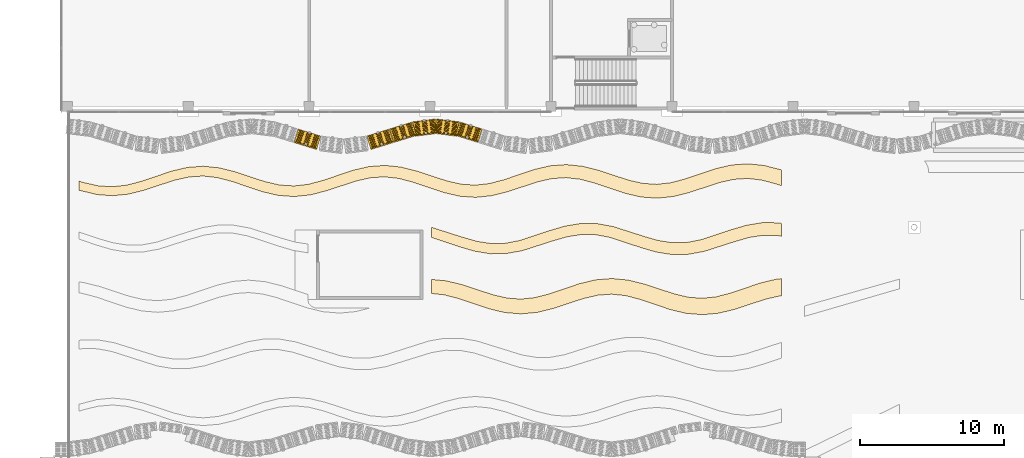
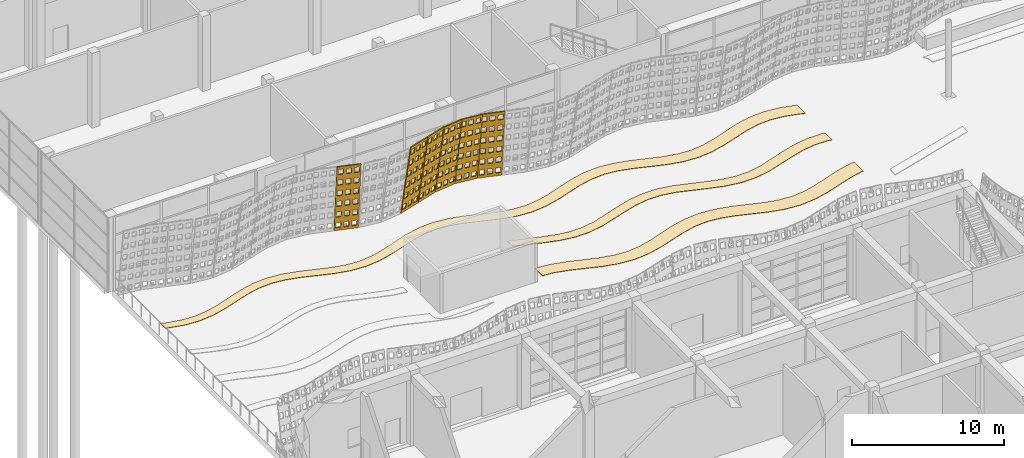
# One storey, part 167 of 210: 9 coverings.
"""IFC4 building model written with IfcOpenShell, lengths in metres."""

from ifc_helpers import new_model, si_unit, direction, frame, origin, place, context, subcontext, project, spatial, polyline, outline, extrude, material, layer, layer_set, type_object, element, save


model = new_model("IFC4")

# Units and contexts
model_context = context("Model", 3, precision=1e-05, world=origin(), true_north=direction((0.0, 1.0)))
body_context = subcontext(model_context, "Body", "Model", "MODEL_VIEW")
ifc_project = project(units=[si_unit("LENGTHUNIT", "METRE"), si_unit("AREAUNIT", "SQUARE_METRE"), si_unit("VOLUMEUNIT", "CUBIC_METRE"), si_unit("PLANEANGLEUNIT", "RADIAN"), si_unit("MASSUNIT", "GRAM", prefix="KILO")], contexts=[model_context])

# Site, building, storey
site_placement = place(None, origin())
site = spatial("IfcSite", under=ifc_project, at=site_placement, CompositionType="ELEMENT")
building_placement = place(site_placement, origin())
building = spatial("IfcBuilding", under=site, at=building_placement, Name="Rain Tree Exposition and Congress Centre", CompositionType="ELEMENT")
storey_placement = place(building_placement, origin())
storey = spatial("IfcBuildingStorey", under=building, at=storey_placement, Name="L00", CompositionType="ELEMENT", Elevation=0.0)

# Coverings
ifc_material_1 = material(Name="Granite paving", Category="masonry")
ifc_layer_1 = layer(ifc_material_1, 0.030029296875)
ifc_layer_set_1 = layer_set([ifc_layer_1], Name="Granite paving")
covering_type_1 = type_object("IfcCoveringType", Name="Granite paving inlay 30", PredefinedType="FLOORING", material=ifc_layer_set_1)
covering_1_placement = place(storey_placement, origin())
element("IfcCovering", 1, at=covering_1_placement, inside=storey, type_object=covering_type_1, Name="Granite paving inlay 31", PredefinedType="FLOORING", context=body_context, shape_type="SweptSolid", body=[
    extrude(outline(polyline([(26.3349609375, 63.480712890625), (25.300048828125, 63.578125), (25.300048828125, 62.601318359375), (26.1650390625, 62.510986328125), (27.16015625, 62.25537109375), (29.26171875, 61.54541015625), (30.3701171875, 61.279296875), (31.5048828125, 61.184814453125), (32.6396484375, 61.291748046875), (33.747802734375, 61.564208984375), (35.845703125, 62.25341796875), (36.834228515625, 62.483642578125), (37.794677734375, 62.555908203125), (38.75537109375, 62.45556640625), (39.744384765625, 62.201416015625), (41.846435546875, 61.4912109375), (42.96142578125, 61.2236328125), (44.105712890625, 61.12841796875), (45.24951171875, 61.236328125), (46.36376953125, 61.510009765625), (48.461181640625, 62.19921875), (49.443115234375, 62.42822265625), (49.60009765625, 62.439697265625), (49.60009765625, 63.633544921875), (49.257080078125, 63.604248046875), (48.138916015625, 63.335693359375), (46.036376953125, 62.62548828125), (45.050537109375, 62.372314453125), (44.094482421875, 62.272216796875), (43.138671875, 62.343994140625), (42.153564453125, 62.573486328125), (40.0556640625, 63.262939453125), (38.944580078125, 63.535888671875), (37.805419921875, 63.643310546875), (36.665771484375, 63.548583984375), (35.55419921875, 63.281494140625), (33.4521484375, 62.571533203125), (32.460205078125, 62.31689453125), (31.4951171875, 62.2158203125), (30.52978515625, 62.28857421875), (29.5380859375, 62.51953125), (27.43994140625, 63.208984375), (26.3349609375, 63.480712890625)])), origin(), (0.0, 0.0, 1.0), 0.030029296875),
])
covering_2_placement = place(storey_placement, origin())
element("IfcCovering", 2, at=covering_2_placement, inside=storey, type_object=covering_type_1, Name="Granite paving inlay 33", PredefinedType="FLOORING", context=body_context, shape_type="SweptSolid", body=[
    extrude(outline(polyline([(25.280517578125, 67.20068359375), (25.300048828125, 66.489013671875), (27.19482421875, 65.85888671875), (28.272705078125, 65.540771484375), (29.37451171875, 65.361083984375), (30.486083984375, 65.373291015625), (31.58740234375, 65.572021484375), (33.713623046875, 66.253173828125), (34.7333984375, 66.5458984375), (35.7275390625, 66.7001953125), (36.711181640625, 66.680419921875), (37.7060546875, 66.490478515625), (39.77783203125, 65.80517578125), (40.8603515625, 65.486083984375), (41.97021484375, 65.30517578125), (43.091552734375, 65.3173828125), (44.20068359375, 65.517578125), (46.33056640625, 66.19970703125), (47.345703125, 66.490966796875), (48.331787109375, 66.643798828125), (49.3056640625, 66.62451171875), (49.60009765625, 66.568115234375), (49.60009765625, 67.4736328125), (49.394287109375, 67.5107421875), (48.268310546875, 67.52294921875), (47.154296875, 67.341552734375), (46.0693359375, 67.021484375), (43.999267578125, 66.3369140625), (43.00830078125, 66.1474609375), (42.02978515625, 66.1279296875), (41.03955078125, 66.28173828125), (40.022216796875, 66.573486328125), (37.89404296875, 67.255126953125), (36.788818359375, 67.45458984375), (35.67236328125, 67.466796875), (34.566650390625, 67.28662109375), (33.486328125, 66.968017578125), (31.41259765625, 66.2822265625), (30.4140625, 66.091552734375), (29.425537109375, 66.072021484375), (28.42724609375, 66.226806640625), (27.405029296875, 66.52001953125), (25.280517578125, 67.20068359375)])), origin(), (0.0, 0.0, 1.0), 0.030029296875),
])
covering_3_placement = place(storey_placement, origin())
element("IfcCovering", 3, at=covering_3_placement, inside=storey, type_object=covering_type_1, Name="Granite paving inlay 35", PredefinedType="FLOORING", context=body_context, shape_type="SweptSolid", body=[
    extrude(outline(polyline([(2.145751953125, 70.080322265625), (1.131591796875, 70.30859375), (0.800048828125, 70.416015625), (0.800048828125, 69.777587890625), (2.05419921875, 69.468505859375), (3.156005859375, 69.38720703125), (4.25732421875, 69.501708984375), (5.34228515625, 69.77587890625), (7.439208984375, 70.464111328125), (8.449951171875, 70.69189453125), (9.443359375, 70.756591796875), (10.4375, 70.6435546875), (11.44970703125, 70.377197265625), (13.55322265625, 69.66748046875), (14.64599609375, 69.412841796875), (15.757080078125, 69.3310546875), (16.86767578125, 69.4462890625), (17.95849609375, 69.72216796875), (20.054443359375, 70.409912109375), (21.05810546875, 70.63623046875), (22.042236328125, 70.700439453125), (23.02734375, 70.588134765625), (24.03369140625, 70.3232421875), (26.13818359375, 69.61328125), (27.237548828125, 69.357177734375), (28.3583984375, 69.274658203125), (29.477783203125, 69.39111328125), (30.574462890625, 69.668212890625), (32.66943359375, 70.355712890625), (33.66650390625, 70.58056640625), (34.64111328125, 70.644287109375), (35.6171875, 70.532958984375), (36.617431640625, 70.269287109375), (38.722900390625, 69.55908203125), (39.829345703125, 69.301513671875), (40.95947265625, 69.218505859375), (42.087890625, 69.335693359375), (43.1904296875, 69.6142578125), (45.284423828125, 70.301513671875), (46.27490234375, 70.52490234375), (47.239990234375, 70.587890625), (48.20703125, 70.4775390625), (49.201416015625, 70.21533203125), (49.60009765625, 70.07861328125), (49.60009765625, 71.178955078125), (48.392822265625, 71.491943359375), (47.260009765625, 71.609619140625), (46.125, 71.5263671875), (45.015380859375, 71.26806640625), (42.909423828125, 70.5576171875), (41.912109375, 70.294921875), (40.940673828125, 70.183837890625), (39.970703125, 70.247314453125), (38.97705078125, 70.47119140625), (36.882568359375, 71.15869140625), (35.78271484375, 71.4365234375), (34.65869140625, 71.553466796875), (33.533447265625, 71.470703125), (32.430419921875, 71.2138671875), (30.325439453125, 70.50390625), (29.322265625, 70.239501953125), (28.341796875, 70.127685546875), (27.3623046875, 70.191650390625), (26.36181640625, 70.4169921875), (24.266357421875, 71.10498046875), (23.172607421875, 71.38134765625), (22.057861328125, 71.497314453125), (20.94189453125, 71.4150390625), (19.845703125, 71.15966796875), (17.74169921875, 70.449951171875), (16.732421875, 70.18408203125), (15.742919921875, 70.0712890625), (14.754150390625, 70.135986328125), (13.746826171875, 70.36279296875), (11.650390625, 71.05078125), (10.5625, 71.325927734375), (9.456787109375, 71.44091796875), (8.35009765625, 71.359375), (7.2607421875, 71.10546875), (5.15771484375, 70.39599609375), (4.142578125, 70.12890625), (3.143798828125, 70.01513671875), (2.145751953125, 70.080322265625)])), origin(), (0.0, 0.0, 1.0), 0.030029296875),
])
ifc_material_2 = material(Name="Perforated terracotta", Category="masonry")
ifc_layer_2 = layer(ifc_material_2, 0.080078125)
ifc_layer_set_2 = layer_set([ifc_layer_2], Name="Perforated terracotta")
covering_type_2 = type_object("IfcCoveringType", Name="Terracotta screen 80", PredefinedType="CLADDING", material=ifc_layer_set_2)
covering_4_placement = place(storey_placement, frame((16.0, 73.949951171875, 0.0), z_axis=(0.293072736571, 0.943327870838, 0.155694891303), x_axis=(-0.954973588716, 0.296690823679, 0.0)))
element("IfcCovering", 4, at=covering_4_placement, inside=storey, type_object=covering_type_2, Name="concourse/screen/L00/011", PredefinedType="CLADDING", context=body_context, shape_type="SweptSolid", body=[
    extrude(outline(polyline([(-0.014892578125, 0.0), (-1.65283203125, 0.0), (-1.65283203125, 5.80859375), (-0.014892578125, 5.80859375), (-0.014892578125, 0.0)]), holes=[polyline([(-0.11865234375, 0.249755859375), (-0.11865234375, 0.71826171875), (-0.457275390625, 0.71826171875), (-0.457275390625, 0.249755859375), (-0.11865234375, 0.249755859375)]), polyline([(-0.11865234375, 1.218017578125), (-0.11865234375, 1.686279296875), (-0.457275390625, 1.686279296875), (-0.457275390625, 1.218017578125), (-0.11865234375, 1.218017578125)]), polyline([(-0.11865234375, 2.18603515625), (-0.11865234375, 2.654541015625), (-0.457275390625, 2.654541015625), (-0.457275390625, 2.18603515625), (-0.11865234375, 2.18603515625)]), polyline([(-0.11865234375, 3.154052734375), (-0.11865234375, 3.62255859375), (-0.457275390625, 3.62255859375), (-0.457275390625, 3.154052734375), (-0.11865234375, 3.154052734375)]), polyline([(-0.11865234375, 4.122314453125), (-0.11865234375, 4.5908203125), (-0.457275390625, 4.5908203125), (-0.457275390625, 4.122314453125), (-0.11865234375, 4.122314453125)]), polyline([(-0.11865234375, 5.09033203125), (-0.11865234375, 5.558837890625), (-0.457275390625, 5.558837890625), (-0.457275390625, 5.09033203125), (-0.11865234375, 5.09033203125)]), polyline([(-0.664794921875, 0.249755859375), (-0.664794921875, 0.71826171875), (-1.003173828125, 0.71826171875), (-1.003173828125, 0.249755859375), (-0.664794921875, 0.249755859375)]), polyline([(-0.664794921875, 1.218017578125), (-0.664794921875, 1.686279296875), (-1.003173828125, 1.686279296875), (-1.003173828125, 1.218017578125), (-0.664794921875, 1.218017578125)]), polyline([(-0.664794921875, 2.18603515625), (-0.664794921875, 2.654541015625), (-1.003173828125, 2.654541015625), (-1.003173828125, 2.18603515625), (-0.664794921875, 2.18603515625)]), polyline([(-0.664794921875, 3.154052734375), (-0.664794921875, 3.62255859375), (-1.003173828125, 3.62255859375), (-1.003173828125, 3.154052734375), (-0.664794921875, 3.154052734375)]), polyline([(-0.664794921875, 4.122314453125), (-0.664794921875, 4.5908203125), (-1.003173828125, 4.5908203125), (-1.003173828125, 4.122314453125), (-0.664794921875, 4.122314453125)]), polyline([(-0.664794921875, 5.09033203125), (-0.664794921875, 5.558837890625), (-1.003173828125, 5.558837890625), (-1.003173828125, 5.09033203125), (-0.664794921875, 5.09033203125)]), polyline([(-1.210693359375, 0.249755859375), (-1.210693359375, 0.71826171875), (-1.54931640625, 0.71826171875), (-1.54931640625, 0.249755859375), (-1.210693359375, 0.249755859375)]), polyline([(-1.210693359375, 1.218017578125), (-1.210693359375, 1.686279296875), (-1.54931640625, 1.686279296875), (-1.54931640625, 1.218017578125), (-1.210693359375, 1.218017578125)]), polyline([(-1.210693359375, 2.18603515625), (-1.210693359375, 2.654541015625), (-1.54931640625, 2.654541015625), (-1.54931640625, 2.18603515625), (-1.210693359375, 2.18603515625)]), polyline([(-1.210693359375, 3.154052734375), (-1.210693359375, 3.62255859375), (-1.54931640625, 3.62255859375), (-1.54931640625, 3.154052734375), (-1.210693359375, 3.154052734375)]), polyline([(-1.210693359375, 4.122314453125), (-1.210693359375, 4.5908203125), (-1.54931640625, 4.5908203125), (-1.54931640625, 4.122314453125), (-1.210693359375, 4.122314453125)]), polyline([(-1.210693359375, 5.09033203125), (-1.210693359375, 5.558837890625), (-1.54931640625, 5.558837890625), (-1.54931640625, 5.09033203125), (-1.210693359375, 5.09033203125)])]), origin(), (0.0, 0.0, 1.0), 0.080078125),
])
covering_5_placement = place(storey_placement, frame((20.800048828125, 73.455078125, 0.0), z_axis=(-0.293072736571, 0.943327870838, 0.155694891303), x_axis=(-0.954973588716, -0.296690823679, 0.0)))
element("IfcCovering", 5, at=covering_5_placement, inside=storey, type_object=covering_type_2, Name="concourse/screen/L00/014", PredefinedType="CLADDING", context=body_context, shape_type="SweptSolid", body=[
    extrude(outline(polyline([(-0.02197265625, 0.0), (-1.659912109375, 0.0), (-1.659912109375, 5.80859375), (-0.02197265625, 5.80859375), (-0.02197265625, 0.0)]), holes=[polyline([(-0.125732421875, 0.249755859375), (-0.125732421875, 0.71826171875), (-0.464111328125, 0.71826171875), (-0.464111328125, 0.249755859375), (-0.125732421875, 0.249755859375)]), polyline([(-0.125732421875, 1.218017578125), (-0.125732421875, 1.686279296875), (-0.464111328125, 1.686279296875), (-0.464111328125, 1.218017578125), (-0.125732421875, 1.218017578125)]), polyline([(-0.125732421875, 2.18603515625), (-0.125732421875, 2.654541015625), (-0.464111328125, 2.654541015625), (-0.464111328125, 2.18603515625), (-0.125732421875, 2.18603515625)]), polyline([(-0.125732421875, 3.154052734375), (-0.125732421875, 3.62255859375), (-0.464111328125, 3.62255859375), (-0.464111328125, 3.154052734375), (-0.125732421875, 3.154052734375)]), polyline([(-0.125732421875, 4.122314453125), (-0.125732421875, 4.5908203125), (-0.464111328125, 4.5908203125), (-0.464111328125, 4.122314453125), (-0.125732421875, 4.122314453125)]), polyline([(-0.125732421875, 5.09033203125), (-0.125732421875, 5.558837890625), (-0.464111328125, 5.558837890625), (-0.464111328125, 5.09033203125), (-0.125732421875, 5.09033203125)]), polyline([(-0.671630859375, 0.249755859375), (-0.671630859375, 0.71826171875), (-1.010009765625, 0.71826171875), (-1.010009765625, 0.249755859375), (-0.671630859375, 0.249755859375)]), polyline([(-0.671630859375, 1.218017578125), (-0.671630859375, 1.686279296875), (-1.010009765625, 1.686279296875), (-1.010009765625, 1.218017578125), (-0.671630859375, 1.218017578125)]), polyline([(-0.671630859375, 2.18603515625), (-0.671630859375, 2.654541015625), (-1.010009765625, 2.654541015625), (-1.010009765625, 2.18603515625), (-0.671630859375, 2.18603515625)]), polyline([(-0.671630859375, 3.154052734375), (-0.671630859375, 3.62255859375), (-1.010009765625, 3.62255859375), (-1.010009765625, 3.154052734375), (-0.671630859375, 3.154052734375)]), polyline([(-0.671630859375, 4.122314453125), (-0.671630859375, 4.5908203125), (-1.010009765625, 4.5908203125), (-1.010009765625, 4.122314453125), (-0.671630859375, 4.122314453125)]), polyline([(-0.671630859375, 5.09033203125), (-0.671630859375, 5.558837890625), (-1.010009765625, 5.558837890625), (-1.010009765625, 5.09033203125), (-0.671630859375, 5.09033203125)]), polyline([(-1.217529296875, 0.249755859375), (-1.217529296875, 0.71826171875), (-1.55615234375, 0.71826171875), (-1.55615234375, 0.249755859375), (-1.217529296875, 0.249755859375)]), polyline([(-1.217529296875, 1.218017578125), (-1.217529296875, 1.686279296875), (-1.55615234375, 1.686279296875), (-1.55615234375, 1.218017578125), (-1.217529296875, 1.218017578125)]), polyline([(-1.217529296875, 2.18603515625), (-1.217529296875, 2.654541015625), (-1.55615234375, 2.654541015625), (-1.55615234375, 2.18603515625), (-1.217529296875, 2.18603515625)]), polyline([(-1.217529296875, 3.154052734375), (-1.217529296875, 3.62255859375), (-1.55615234375, 3.62255859375), (-1.55615234375, 3.154052734375), (-1.217529296875, 3.154052734375)]), polyline([(-1.217529296875, 4.122314453125), (-1.217529296875, 4.5908203125), (-1.55615234375, 4.5908203125), (-1.55615234375, 4.122314453125), (-1.217529296875, 4.122314453125)]), polyline([(-1.217529296875, 5.09033203125), (-1.217529296875, 5.558837890625), (-1.55615234375, 5.558837890625), (-1.55615234375, 5.09033203125), (-1.217529296875, 5.09033203125)])]), origin(), (0.0, 0.0, 1.0), 0.080078125),
])
covering_6_placement = place(storey_placement, frame((22.39990234375, 73.949951171875, 0.0), z_axis=(-0.290278371326, 0.94416859726, 0.155833651975), x_axis=(-0.955845867297, -0.293868470528, 0.0)))
element("IfcCovering", 6, at=covering_6_placement, inside=storey, type_object=covering_type_2, Name="concourse/screen/L00/015", PredefinedType="CLADDING", context=body_context, shape_type="SweptSolid", body=[
    extrude(outline(polyline([(-0.014892578125, 0.0), (-1.659912109375, 0.0), (-1.659912109375, 5.80859375), (-0.014892578125, 5.80859375), (-0.014892578125, 0.0)]), holes=[polyline([(-0.119140625, 0.249755859375), (-0.119140625, 0.71826171875), (-0.458984375, 0.71826171875), (-0.458984375, 0.249755859375), (-0.119140625, 0.249755859375)]), polyline([(-0.119140625, 1.218017578125), (-0.119140625, 1.686279296875), (-0.458984375, 1.686279296875), (-0.458984375, 1.218017578125), (-0.119140625, 1.218017578125)]), polyline([(-0.119140625, 2.18603515625), (-0.119140625, 2.654541015625), (-0.458984375, 2.654541015625), (-0.458984375, 2.18603515625), (-0.119140625, 2.18603515625)]), polyline([(-0.119140625, 3.154052734375), (-0.119140625, 3.62255859375), (-0.458984375, 3.62255859375), (-0.458984375, 3.154052734375), (-0.119140625, 3.154052734375)]), polyline([(-0.119140625, 4.122314453125), (-0.119140625, 4.5908203125), (-0.458984375, 4.5908203125), (-0.458984375, 4.122314453125), (-0.119140625, 4.122314453125)]), polyline([(-0.119140625, 5.09033203125), (-0.119140625, 5.558837890625), (-0.458984375, 5.558837890625), (-0.458984375, 5.09033203125), (-0.119140625, 5.09033203125)]), polyline([(-0.66748046875, 0.249755859375), (-0.66748046875, 0.71826171875), (-1.00732421875, 0.71826171875), (-1.00732421875, 0.249755859375), (-0.66748046875, 0.249755859375)]), polyline([(-0.66748046875, 1.218017578125), (-0.66748046875, 1.686279296875), (-1.00732421875, 1.686279296875), (-1.00732421875, 1.218017578125), (-0.66748046875, 1.218017578125)]), polyline([(-0.66748046875, 2.18603515625), (-0.66748046875, 2.654541015625), (-1.00732421875, 2.654541015625), (-1.00732421875, 2.18603515625), (-0.66748046875, 2.18603515625)]), polyline([(-0.66748046875, 3.154052734375), (-0.66748046875, 3.62255859375), (-1.00732421875, 3.62255859375), (-1.00732421875, 3.154052734375), (-0.66748046875, 3.154052734375)]), polyline([(-0.66748046875, 4.122314453125), (-0.66748046875, 4.5908203125), (-1.00732421875, 4.5908203125), (-1.00732421875, 4.122314453125), (-0.66748046875, 4.122314453125)]), polyline([(-0.66748046875, 5.09033203125), (-0.66748046875, 5.558837890625), (-1.00732421875, 5.558837890625), (-1.00732421875, 5.09033203125), (-0.66748046875, 5.09033203125)]), polyline([(-1.2158203125, 0.249755859375), (-1.2158203125, 0.71826171875), (-1.5556640625, 0.71826171875), (-1.5556640625, 0.249755859375), (-1.2158203125, 0.249755859375)]), polyline([(-1.2158203125, 1.218017578125), (-1.2158203125, 1.686279296875), (-1.5556640625, 1.686279296875), (-1.5556640625, 1.218017578125), (-1.2158203125, 1.218017578125)]), polyline([(-1.2158203125, 2.18603515625), (-1.2158203125, 2.654541015625), (-1.5556640625, 2.654541015625), (-1.5556640625, 2.18603515625), (-1.2158203125, 2.18603515625)]), polyline([(-1.2158203125, 3.154052734375), (-1.2158203125, 3.62255859375), (-1.5556640625, 3.62255859375), (-1.5556640625, 3.154052734375), (-1.2158203125, 3.154052734375)]), polyline([(-1.2158203125, 4.122314453125), (-1.2158203125, 4.5908203125), (-1.5556640625, 4.5908203125), (-1.5556640625, 4.122314453125), (-1.2158203125, 4.122314453125)]), polyline([(-1.2158203125, 5.09033203125), (-1.2158203125, 5.558837890625), (-1.5556640625, 5.558837890625), (-1.5556640625, 5.09033203125), (-1.2158203125, 5.09033203125)])]), origin(), (0.0, 0.0, 1.0), 0.079833984375),
])
covering_7_placement = place(storey_placement, frame((24.0, 74.445068359375, 0.0), z_axis=(-0.125405134464, 0.978771781185, 0.162109076259), x_axis=(-0.991891686382, -0.127086122318, 0.0)))
element("IfcCovering", 7, at=covering_7_placement, inside=storey, type_object=covering_type_2, Name="concourse/screen/L00/016", PredefinedType="CLADDING", context=body_context, shape_type="SweptSolid", body=[
    extrude(outline(polyline([(-0.014892578125, 0.0), (-1.59814453125, 0.0), (-1.59814453125, 5.813720703125), (-0.014892578125, 5.813720703125), (-0.014892578125, 0.0)]), holes=[polyline([(-0.115234375, 0.25), (-0.115234375, 0.718994140625), (-0.4423828125, 0.718994140625), (-0.4423828125, 0.25), (-0.115234375, 0.25)]), polyline([(-0.115234375, 1.218994140625), (-0.115234375, 1.687744140625), (-0.4423828125, 1.687744140625), (-0.4423828125, 1.218994140625), (-0.115234375, 1.218994140625)]), polyline([(-0.115234375, 2.18798828125), (-0.115234375, 2.65673828125), (-0.4423828125, 2.65673828125), (-0.4423828125, 2.18798828125), (-0.115234375, 2.18798828125)]), polyline([(-0.115234375, 3.156982421875), (-0.115234375, 3.625732421875), (-0.4423828125, 3.625732421875), (-0.4423828125, 3.156982421875), (-0.115234375, 3.156982421875)]), polyline([(-0.115234375, 4.125732421875), (-0.115234375, 4.594482421875), (-0.4423828125, 4.594482421875), (-0.4423828125, 4.125732421875), (-0.115234375, 4.125732421875)]), polyline([(-0.115234375, 5.0947265625), (-0.115234375, 5.563720703125), (-0.4423828125, 5.563720703125), (-0.4423828125, 5.0947265625), (-0.115234375, 5.0947265625)]), polyline([(-0.64306640625, 0.25), (-0.64306640625, 0.718994140625), (-0.97021484375, 0.718994140625), (-0.97021484375, 0.25), (-0.64306640625, 0.25)]), polyline([(-0.64306640625, 1.218994140625), (-0.64306640625, 1.687744140625), (-0.97021484375, 1.687744140625), (-0.97021484375, 1.218994140625), (-0.64306640625, 1.218994140625)]), polyline([(-0.64306640625, 2.18798828125), (-0.64306640625, 2.65673828125), (-0.97021484375, 2.65673828125), (-0.97021484375, 2.18798828125), (-0.64306640625, 2.18798828125)]), polyline([(-0.64306640625, 3.156982421875), (-0.64306640625, 3.625732421875), (-0.97021484375, 3.625732421875), (-0.97021484375, 3.156982421875), (-0.64306640625, 3.156982421875)]), polyline([(-0.64306640625, 4.125732421875), (-0.64306640625, 4.594482421875), (-0.97021484375, 4.594482421875), (-0.97021484375, 4.125732421875), (-0.64306640625, 4.125732421875)]), polyline([(-0.64306640625, 5.0947265625), (-0.64306640625, 5.563720703125), (-0.97021484375, 5.563720703125), (-0.97021484375, 5.0947265625), (-0.64306640625, 5.0947265625)]), polyline([(-1.170654296875, 0.25), (-1.170654296875, 0.718994140625), (-1.497802734375, 0.718994140625), (-1.497802734375, 0.25), (-1.170654296875, 0.25)]), polyline([(-1.170654296875, 1.218994140625), (-1.170654296875, 1.687744140625), (-1.497802734375, 1.687744140625), (-1.497802734375, 1.218994140625), (-1.170654296875, 1.218994140625)]), polyline([(-1.170654296875, 2.18798828125), (-1.170654296875, 2.65673828125), (-1.497802734375, 2.65673828125), (-1.497802734375, 2.18798828125), (-1.170654296875, 2.18798828125)]), polyline([(-1.170654296875, 3.156982421875), (-1.170654296875, 3.625732421875), (-1.497802734375, 3.625732421875), (-1.497802734375, 3.156982421875), (-1.170654296875, 3.156982421875)]), polyline([(-1.170654296875, 4.125732421875), (-1.170654296875, 4.594482421875), (-1.497802734375, 4.594482421875), (-1.497802734375, 4.125732421875), (-1.170654296875, 4.125732421875)]), polyline([(-1.170654296875, 5.0947265625), (-1.170654296875, 5.563720703125), (-1.497802734375, 5.563720703125), (-1.497802734375, 5.0947265625), (-1.170654296875, 5.0947265625)])]), origin(), (0.0, 0.0, 1.0), 0.079833984375),
])
covering_8_placement = place(storey_placement, frame((25.60009765625, 74.64990234375, 0.0), z_axis=(0.125030801275, 0.978899688033, 0.161625182136), x_axis=(-0.991941518713, 0.126696580272, 0.0)))
element("IfcCovering", 8, at=covering_8_placement, inside=storey, type_object=covering_type_2, Name="concourse/screen/L00/017", PredefinedType="CLADDING", context=body_context, shape_type="SweptSolid", body=[
    extrude(outline(polyline([(-0.014892578125, 0.0), (-1.59814453125, 0.0), (-1.59814453125, 5.813720703125), (-0.014892578125, 5.813720703125), (-0.014892578125, 0.0)]), holes=[polyline([(-0.115234375, 0.25), (-0.115234375, 0.718994140625), (-0.4423828125, 0.718994140625), (-0.4423828125, 0.25), (-0.115234375, 0.25)]), polyline([(-0.115234375, 1.218994140625), (-0.115234375, 1.687744140625), (-0.4423828125, 1.687744140625), (-0.4423828125, 1.218994140625), (-0.115234375, 1.218994140625)]), polyline([(-0.115234375, 2.18798828125), (-0.115234375, 2.65673828125), (-0.4423828125, 2.65673828125), (-0.4423828125, 2.18798828125), (-0.115234375, 2.18798828125)]), polyline([(-0.115234375, 3.156982421875), (-0.115234375, 3.625732421875), (-0.4423828125, 3.625732421875), (-0.4423828125, 3.156982421875), (-0.115234375, 3.156982421875)]), polyline([(-0.115234375, 4.125732421875), (-0.115234375, 4.594482421875), (-0.4423828125, 4.594482421875), (-0.4423828125, 4.125732421875), (-0.115234375, 4.125732421875)]), polyline([(-0.115234375, 5.0947265625), (-0.115234375, 5.563720703125), (-0.4423828125, 5.563720703125), (-0.4423828125, 5.0947265625), (-0.115234375, 5.0947265625)]), polyline([(-0.64306640625, 0.25), (-0.64306640625, 0.718994140625), (-0.97021484375, 0.718994140625), (-0.97021484375, 0.25), (-0.64306640625, 0.25)]), polyline([(-0.64306640625, 1.218994140625), (-0.64306640625, 1.687744140625), (-0.97021484375, 1.687744140625), (-0.97021484375, 1.218994140625), (-0.64306640625, 1.218994140625)]), polyline([(-0.64306640625, 2.18798828125), (-0.64306640625, 2.65673828125), (-0.97021484375, 2.65673828125), (-0.97021484375, 2.18798828125), (-0.64306640625, 2.18798828125)]), polyline([(-0.64306640625, 3.156982421875), (-0.64306640625, 3.625732421875), (-0.97021484375, 3.625732421875), (-0.97021484375, 3.156982421875), (-0.64306640625, 3.156982421875)]), polyline([(-0.64306640625, 4.125732421875), (-0.64306640625, 4.594482421875), (-0.97021484375, 4.594482421875), (-0.97021484375, 4.125732421875), (-0.64306640625, 4.125732421875)]), polyline([(-0.64306640625, 5.0947265625), (-0.64306640625, 5.563720703125), (-0.97021484375, 5.563720703125), (-0.97021484375, 5.0947265625), (-0.64306640625, 5.0947265625)]), polyline([(-1.170654296875, 0.25), (-1.170654296875, 0.718994140625), (-1.497802734375, 0.718994140625), (-1.497802734375, 0.25), (-1.170654296875, 0.25)]), polyline([(-1.170654296875, 1.218994140625), (-1.170654296875, 1.687744140625), (-1.497802734375, 1.687744140625), (-1.497802734375, 1.218994140625), (-1.170654296875, 1.218994140625)]), polyline([(-1.170654296875, 2.18798828125), (-1.170654296875, 2.65673828125), (-1.497802734375, 2.65673828125), (-1.497802734375, 2.18798828125), (-1.170654296875, 2.18798828125)]), polyline([(-1.170654296875, 3.156982421875), (-1.170654296875, 3.625732421875), (-1.497802734375, 3.625732421875), (-1.497802734375, 3.156982421875), (-1.170654296875, 3.156982421875)]), polyline([(-1.170654296875, 4.125732421875), (-1.170654296875, 4.594482421875), (-1.497802734375, 4.594482421875), (-1.497802734375, 4.125732421875), (-1.170654296875, 4.125732421875)]), polyline([(-1.170654296875, 5.0947265625), (-1.170654296875, 5.563720703125), (-1.497802734375, 5.563720703125), (-1.497802734375, 5.0947265625), (-1.170654296875, 5.0947265625)])]), origin(), (0.0, 0.0, 1.0), 0.080078125),
])
covering_9_placement = place(storey_placement, frame((27.199951171875, 74.445068359375, 0.0), z_axis=(0.293072736571, 0.943327870838, 0.155694891303), x_axis=(-0.954973588716, 0.296690823679, 0.0)))
element("IfcCovering", 9, at=covering_9_placement, inside=storey, type_object=covering_type_2, Name="concourse/screen/L00/018", PredefinedType="CLADDING", context=body_context, shape_type="SweptSolid", body=[
    extrude(outline(polyline([(-0.014892578125, 0.0), (-1.659912109375, 0.0), (-1.659912109375, 5.80859375), (-0.014892578125, 5.80859375), (-0.014892578125, 0.0)]), holes=[polyline([(-0.119140625, 0.249755859375), (-0.119140625, 0.71826171875), (-0.458984375, 0.71826171875), (-0.458984375, 0.249755859375), (-0.119140625, 0.249755859375)]), polyline([(-0.119140625, 1.218017578125), (-0.119140625, 1.686279296875), (-0.458984375, 1.686279296875), (-0.458984375, 1.218017578125), (-0.119140625, 1.218017578125)]), polyline([(-0.119140625, 2.18603515625), (-0.119140625, 2.654541015625), (-0.458984375, 2.654541015625), (-0.458984375, 2.18603515625), (-0.119140625, 2.18603515625)]), polyline([(-0.119140625, 3.154052734375), (-0.119140625, 3.62255859375), (-0.458984375, 3.62255859375), (-0.458984375, 3.154052734375), (-0.119140625, 3.154052734375)]), polyline([(-0.119140625, 4.122314453125), (-0.119140625, 4.5908203125), (-0.458984375, 4.5908203125), (-0.458984375, 4.122314453125), (-0.119140625, 4.122314453125)]), polyline([(-0.119140625, 5.09033203125), (-0.119140625, 5.558837890625), (-0.458984375, 5.558837890625), (-0.458984375, 5.09033203125), (-0.119140625, 5.09033203125)]), polyline([(-0.66748046875, 0.249755859375), (-0.66748046875, 0.71826171875), (-1.00732421875, 0.71826171875), (-1.00732421875, 0.249755859375), (-0.66748046875, 0.249755859375)]), polyline([(-0.66748046875, 1.218017578125), (-0.66748046875, 1.686279296875), (-1.00732421875, 1.686279296875), (-1.00732421875, 1.218017578125), (-0.66748046875, 1.218017578125)]), polyline([(-0.66748046875, 2.18603515625), (-0.66748046875, 2.654541015625), (-1.00732421875, 2.654541015625), (-1.00732421875, 2.18603515625), (-0.66748046875, 2.18603515625)]), polyline([(-0.66748046875, 3.154052734375), (-0.66748046875, 3.62255859375), (-1.00732421875, 3.62255859375), (-1.00732421875, 3.154052734375), (-0.66748046875, 3.154052734375)]), polyline([(-0.66748046875, 4.122314453125), (-0.66748046875, 4.5908203125), (-1.00732421875, 4.5908203125), (-1.00732421875, 4.122314453125), (-0.66748046875, 4.122314453125)]), polyline([(-0.66748046875, 5.09033203125), (-0.66748046875, 5.558837890625), (-1.00732421875, 5.558837890625), (-1.00732421875, 5.09033203125), (-0.66748046875, 5.09033203125)]), polyline([(-1.2158203125, 0.249755859375), (-1.2158203125, 0.71826171875), (-1.5556640625, 0.71826171875), (-1.5556640625, 0.249755859375), (-1.2158203125, 0.249755859375)]), polyline([(-1.2158203125, 1.218017578125), (-1.2158203125, 1.686279296875), (-1.5556640625, 1.686279296875), (-1.5556640625, 1.218017578125), (-1.2158203125, 1.218017578125)]), polyline([(-1.2158203125, 2.18603515625), (-1.2158203125, 2.654541015625), (-1.5556640625, 2.654541015625), (-1.5556640625, 2.18603515625), (-1.2158203125, 2.18603515625)]), polyline([(-1.2158203125, 3.154052734375), (-1.2158203125, 3.62255859375), (-1.5556640625, 3.62255859375), (-1.5556640625, 3.154052734375), (-1.2158203125, 3.154052734375)]), polyline([(-1.2158203125, 4.122314453125), (-1.2158203125, 4.5908203125), (-1.5556640625, 4.5908203125), (-1.5556640625, 4.122314453125), (-1.2158203125, 4.122314453125)]), polyline([(-1.2158203125, 5.09033203125), (-1.2158203125, 5.558837890625), (-1.5556640625, 5.558837890625), (-1.5556640625, 5.09033203125), (-1.2158203125, 5.09033203125)])]), origin(), (0.0, 0.0, 1.0), 0.080078125),
])

save(model, "model.ifc")
